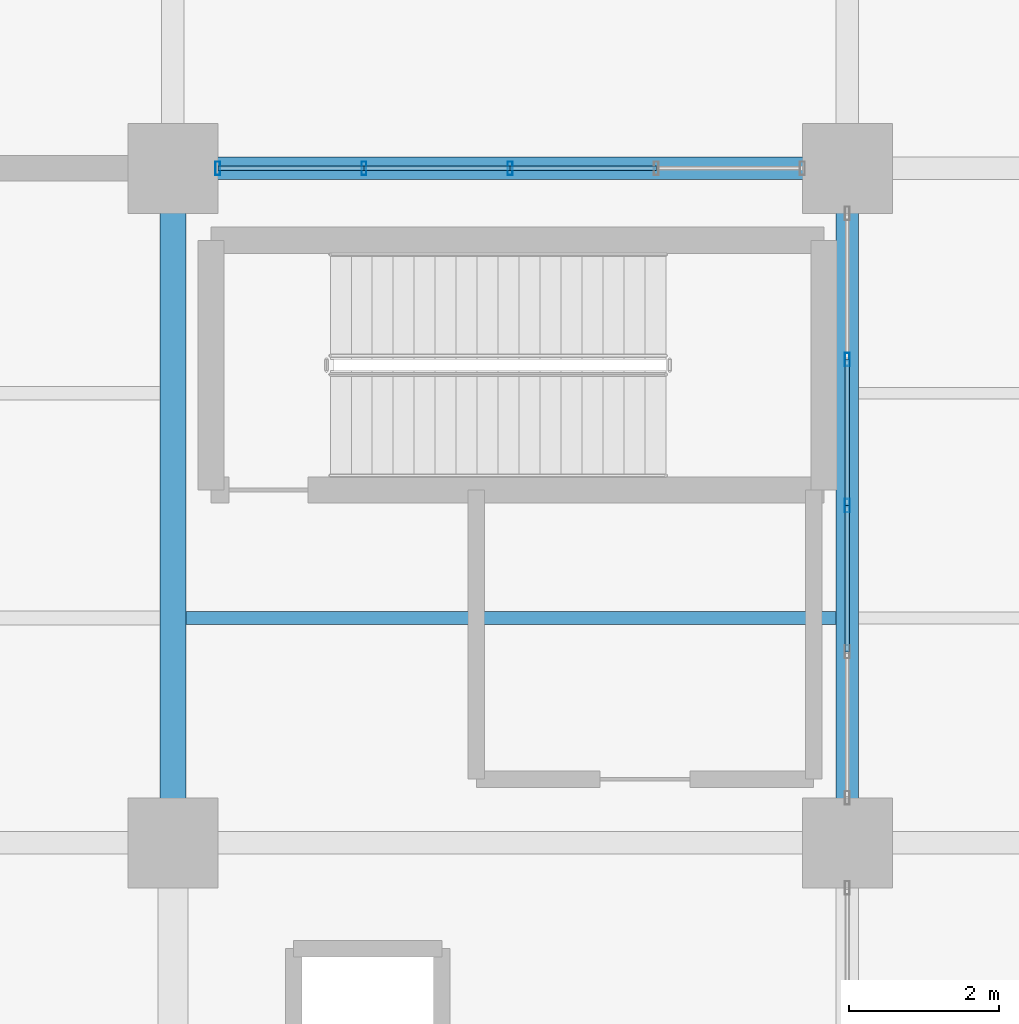
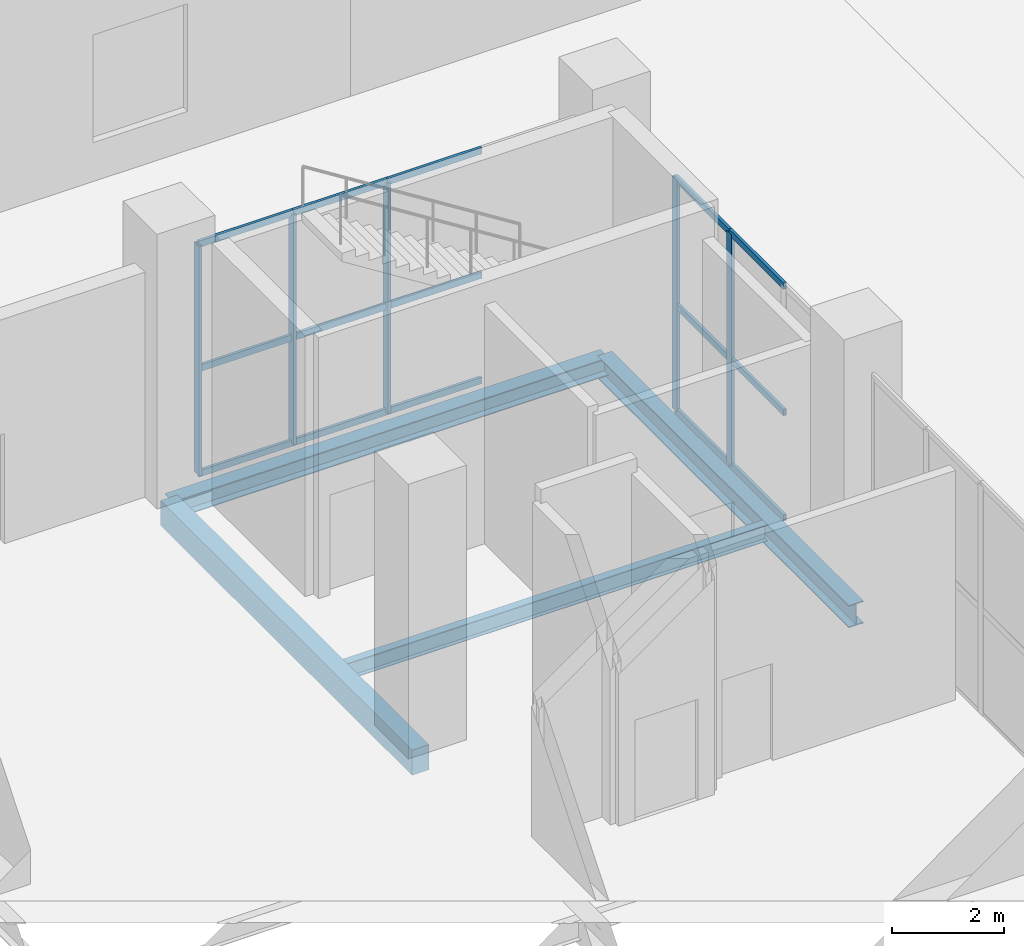
# One storey, part 63 of 144: 20 members, 4 beams, 2 elements without a shape of their own.
"""IFC4 building model written with IfcOpenShell, lengths in metres."""

from ifc_helpers import new_model, si_unit, direction, frame, origin, origin_2d, place, context, subcontext, project, spatial, rectangle, hollow_rectangle, i_section, extrude, material, layer, layer_set, material_profile, profile_set, type_object, element, aggregate, save


model = new_model("IFC4")

# Units and contexts
model_context = context("Model", 3, precision=1e-05, world=origin(), true_north=direction((0.0, 1.0)))
body_context = subcontext(model_context, "Body", "Model", "MODEL_VIEW")
ifc_project = project(units=[si_unit("LENGTHUNIT", "METRE"), si_unit("AREAUNIT", "SQUARE_METRE"), si_unit("VOLUMEUNIT", "CUBIC_METRE"), si_unit("PLANEANGLEUNIT", "RADIAN"), si_unit("MASSUNIT", "GRAM", prefix="KILO")], contexts=[model_context])

# Site, building, storey
site_placement = place(None, origin())
site = spatial("IfcSite", under=ifc_project, at=site_placement, CompositionType="ELEMENT")
building_placement = place(site_placement, origin())
building = spatial("IfcBuilding", under=site, at=building_placement, Name="Sundgate Opera House", CompositionType="ELEMENT")
storey_placement = place(building_placement, origin())
storey = spatial("IfcBuildingStorey", under=building, at=storey_placement, Name="L00", CompositionType="ELEMENT", Elevation=0.0)

# Beams
ifc_material_1 = material(Name="Steel S355J2", Category="steel")
ifc_material_profile_1 = material_profile(ifc_material_1, i_section(OverallWidth=0.300048828125, OverallDepth=0.389892578125, WebThickness=0.010986328125, FlangeThickness=0.01904296875, at=origin_2d()), Name="HEA 400")
ifc_profile_set_1 = profile_set([ifc_material_profile_1], Name="Steel S355J2")
beam_type_1 = type_object("IfcBeamType", Name="BM-GR-HEA400", PredefinedType="BEAM", material=ifc_profile_set_1)
beam_1_placement = place(storey_placement, frame((63.0, 78.0, -0.514892578125), z_axis=(1.0, 0.0, 0.0), x_axis=(0.0, 1.0, 0.0)))
element("IfcBeam", 1, at=beam_1_placement, inside=storey, type_object=beam_type_1, Name="L00 Primary E-W Girder B0487", PredefinedType="BEAM", context=body_context, shape_type="SweptSolid", body=[
    extrude(i_section(OverallWidth=0.300048828125, OverallDepth=0.389892578125, WebThickness=0.010986328125, FlangeThickness=0.01904296875, at=origin_2d()), origin(), (0.0, 0.0, 1.0), 9.0),
])
ifc_material_2 = material(Name="Steel S355J2", Category="steel")
ifc_material_profile_2 = material_profile(ifc_material_2, i_section(OverallWidth=0.300048828125, OverallDepth=0.489990234375, WebThickness=0.011962890625, FlangeThickness=0.02294921875, at=origin_2d()), Name="HEA 500")
ifc_profile_set_2 = profile_set([ifc_material_profile_2], Name="Steel S355J2")
beam_type_2 = type_object("IfcBeamType", Name="BM-GR-HEA500", PredefinedType="BEAM", material=ifc_profile_set_2)
beam_2_placement = place(storey_placement, frame((72.0, 69.0, -0.56494140625), z_axis=(0.0, 1.0, 0.0), x_axis=(-1.0, 0.0, 0.0)))
element("IfcBeam", 2, at=beam_2_placement, inside=storey, type_object=beam_type_2, Name="L00 Primary N-S Girder B0156", PredefinedType="BEAM", context=body_context, shape_type="SweptSolid", body=[
    extrude(i_section(OverallWidth=0.300048828125, OverallDepth=0.489990234375, WebThickness=0.011962890625, FlangeThickness=0.02294921875, at=origin_2d()), origin(), (0.0, 0.0, 1.0), 9.0),
])
ifc_material_3 = material(Name="Steel S355J2", Category="steel")
ifc_material_profile_3 = material_profile(ifc_material_3, i_section(OverallWidth=0.169921875, OverallDepth=0.360107421875, WebThickness=0.008056640625, FlangeThickness=0.0126953125, at=origin_2d()), Name="IPE 360")
ifc_profile_set_3 = profile_set([ifc_material_profile_3], Name="Steel S355J2")
beam_type_3 = type_object("IfcBeamType", Name="BM-JS-IPE360", PredefinedType="JOIST", material=ifc_profile_set_3)
beam_3_placement = place(storey_placement, frame((63.175048828125, 72.0, -0.5), z_axis=(1.0, 0.0, 0.0), x_axis=(0.0, 1.0, 0.0)))
element("IfcBeam", 3, at=beam_3_placement, inside=storey, type_object=beam_type_3, Name="L00 Secondary Floor Joist B0849", PredefinedType="JOIST", context=body_context, shape_type="SweptSolid", body=[
    extrude(i_section(OverallWidth=0.169921875, OverallDepth=0.360107421875, WebThickness=0.008056640625, FlangeThickness=0.0126953125, at=origin_2d()), origin(), (0.0, 0.0, 1.0), 8.675048828125),
])
ifc_material_4 = material(Name="Concrete C35/45", Category="concrete")
ifc_material_profile_4 = material_profile(ifc_material_4, rectangle(XDim=0.35009765625, YDim=0.550048828125, at=origin_2d()), Name="RC 350x550")
ifc_profile_set_4 = profile_set([ifc_material_profile_4], Name="Concrete C35/45")
beam_type_4 = type_object("IfcBeamType", Name="BM-RC-350x550", PredefinedType="BEAM", material=ifc_profile_set_4)
beam_4_placement = place(storey_placement, frame((63.0, 69.0, -0.594970703125), z_axis=(0.0, 1.0, 0.0), x_axis=(-1.0, 0.0, 0.0)))
element("IfcBeam", 4, at=beam_4_placement, inside=storey, type_object=beam_type_4, Name="L00 Primary N-S Girder B0146", PredefinedType="BEAM", context=body_context, shape_type="SweptSolid", body=[
    extrude(rectangle(XDim=0.35009765625, YDim=0.550048828125, at=origin_2d()), origin(), (0.0, 0.0, 1.0), 9.0),
])

# Curtain wall, members
ifc_material_5 = material(Name="Anodized aluminium and low-iron glass", Category="aluminium")
ifc_layer = layer(ifc_material_5, 0.179931640625)
ifc_layer_set = layer_set([ifc_layer], Name="Anodized aluminium and low-iron glass")
curtain_wall_type = type_object("IfcCurtainWallType", Name="CW-FOYER-GLASS", PredefinedType="NOTDEFINED", material=ifc_layer_set)
curtain_wall_1_placement = place(storey_placement, origin())
curtain_wall_1 = element("IfcCurtainWall", 5, at=curtain_wall_1_placement, inside=storey, type_object=curtain_wall_type, Name="L00 Curtain Wall CW004", PredefinedType="NOTDEFINED")
ifc_material_6 = material(Name="Anodized aluminium EN AW-6063", Category="aluminium")
ifc_material_profile_5 = material_profile(ifc_material_6, hollow_rectangle(XDim=0.06494140625, YDim=0.179931640625, WallThickness=0.00390625, at=origin_2d()), Name="CWM 180x65x4")
ifc_profile_set_5 = profile_set([ifc_material_profile_5], Name="Anodized aluminium EN AW-6063")
member_type_1 = type_object("IfcMemberType", Name="CWM-ALU-180x65", PredefinedType="MULLION", material=ifc_profile_set_5)
member_1_placement = place(storey_placement, frame((63.60009765625, 78.0, 0.0), z_axis=(0.0, 0.0, 1.0), x_axis=(1.0, 0.0, 0.0)))
member_1 = element("IfcMember", 6, at=member_1_placement, type_object=member_type_1, Name="CW004 Mullion 1", PredefinedType="MULLION", context=body_context, shape_type="SweptSolid", body=[
    extrude(hollow_rectangle(XDim=0.06494140625, YDim=0.179931640625, WallThickness=0.00390625, at=origin_2d()), origin(), (0.0, 0.0, 1.0), 5.014892578125),
])
member_2_placement = place(storey_placement, frame((65.550048828125, 78.0, 0.0), z_axis=(0.0, 0.0, 1.0), x_axis=(1.0, 0.0, 0.0)))
member_2 = element("IfcMember", 7, at=member_2_placement, type_object=member_type_1, Name="CW004 Mullion 2", PredefinedType="MULLION", context=body_context, shape_type="SweptSolid", body=[
    extrude(hollow_rectangle(XDim=0.06494140625, YDim=0.179931640625, WallThickness=0.00390625, at=origin_2d()), origin(), (0.0, 0.0, 1.0), 5.014892578125),
])
member_3_placement = place(storey_placement, frame((67.5, 78.0, 0.0), z_axis=(0.0, 0.0, 1.0), x_axis=(1.0, 0.0, 0.0)))
member_3 = element("IfcMember", 8, at=member_3_placement, type_object=member_type_1, Name="CW004 Mullion 3", PredefinedType="MULLION", context=body_context, shape_type="SweptSolid", body=[
    extrude(hollow_rectangle(XDim=0.06494140625, YDim=0.179931640625, WallThickness=0.00390625, at=origin_2d()), origin(), (0.0, 0.0, 1.0), 5.014892578125),
])

curtain_wall_2_placement = place(storey_placement, origin())
curtain_wall_2 = element("IfcCurtainWall", 9, at=curtain_wall_2_placement, inside=storey, type_object=curtain_wall_type, Name="L00 Curtain Wall CW010", PredefinedType="NOTDEFINED")
member_4_placement = place(storey_placement, frame((72.0, 73.5, 0.0), z_axis=(0.0, 0.0, 1.0), x_axis=(1.0, 0.0, 0.0)))
member_4 = element("IfcMember", 10, at=member_4_placement, type_object=member_type_1, Name="CW010 Mullion 3", PredefinedType="MULLION", context=body_context, shape_type="SweptSolid", body=[
    extrude(hollow_rectangle(XDim=0.06494140625, YDim=0.179931640625, WallThickness=0.00390625, at=origin_2d()), origin(), (0.0, 0.0, 1.0), 5.06494140625),
])
member_5_placement = place(storey_placement, frame((72.0, 75.449951171875, 0.0), z_axis=(0.0, 0.0, 1.0), x_axis=(1.0, 0.0, 0.0)))
member_5 = element("IfcMember", 11, at=member_5_placement, type_object=member_type_1, Name="CW010 Mullion 4", PredefinedType="MULLION", context=body_context, shape_type="SweptSolid", body=[
    extrude(hollow_rectangle(XDim=0.06494140625, YDim=0.179931640625, WallThickness=0.00390625, at=origin_2d()), origin(), (0.0, 0.0, 1.0), 5.06494140625),
])

# Member
ifc_material_7 = material(Name="Anodized aluminium EN AW-6063", Category="aluminium")
ifc_material_profile_6 = material_profile(ifc_material_7, hollow_rectangle(XDim=0.06005859375, YDim=0.139892578125, WallThickness=0.00390625, at=origin_2d()), Name="CWT 140x60x4")
ifc_profile_set_6 = profile_set([ifc_material_profile_6], Name="Anodized aluminium EN AW-6063")
member_type_2 = type_object("IfcMemberType", Name="CWT-ALU-140x60", PredefinedType="USERDEFINED", material=ifc_profile_set_6)
member_6_placement = place(storey_placement, frame((63.60009765625, 78.0, 0.0), z_axis=(1.0, 0.0, 0.0), x_axis=(0.0, 1.0, 0.0)))
member_6 = element("IfcMember", 12, at=member_6_placement, type_object=member_type_2, Name="CW004 Transom 1", ObjectType="TRANSOM", PredefinedType="USERDEFINED", context=body_context, shape_type="SweptSolid", body=[
    extrude(hollow_rectangle(XDim=0.06005859375, YDim=0.139892578125, WallThickness=0.00390625, at=origin_2d()), origin(), (0.0, 0.0, 1.0), 1.949951171875),
])

member_7_placement = place(storey_placement, frame((63.60009765625, 78.0, 2.300048828125), z_axis=(1.0, 0.0, 0.0), x_axis=(0.0, 1.0, 0.0)))
member_7 = element("IfcMember", 13, at=member_7_placement, type_object=member_type_2, Name="CW004 Transom 2", ObjectType="TRANSOM", PredefinedType="USERDEFINED", context=body_context, shape_type="SweptSolid", body=[
    extrude(hollow_rectangle(XDim=0.06005859375, YDim=0.139892578125, WallThickness=0.00390625, at=origin_2d()), origin(), (0.0, 0.0, 1.0), 1.949951171875),
])

member_8_placement = place(storey_placement, frame((63.60009765625, 78.0, 5.014892578125), z_axis=(1.0, 0.0, 0.0), x_axis=(0.0, 1.0, 0.0)))
member_8 = element("IfcMember", 14, at=member_8_placement, type_object=member_type_2, Name="CW004 Transom 3", ObjectType="TRANSOM", PredefinedType="USERDEFINED", context=body_context, shape_type="SweptSolid", body=[
    extrude(hollow_rectangle(XDim=0.06005859375, YDim=0.139892578125, WallThickness=0.00390625, at=origin_2d()), origin(), (0.0, 0.0, 1.0), 1.949951171875),
])

member_9_placement = place(storey_placement, frame((65.550048828125, 78.0, 0.0), z_axis=(1.0, 0.0, 0.0), x_axis=(0.0, 1.0, 0.0)))
member_9 = element("IfcMember", 15, at=member_9_placement, type_object=member_type_2, Name="CW004 Transom 4", ObjectType="TRANSOM", PredefinedType="USERDEFINED", context=body_context, shape_type="SweptSolid", body=[
    extrude(hollow_rectangle(XDim=0.06005859375, YDim=0.139892578125, WallThickness=0.00390625, at=origin_2d()), origin(), (0.0, 0.0, 1.0), 1.949951171875),
])

member_10_placement = place(storey_placement, frame((65.550048828125, 78.0, 2.300048828125), z_axis=(1.0, 0.0, 0.0), x_axis=(0.0, 1.0, 0.0)))
member_10 = element("IfcMember", 16, at=member_10_placement, type_object=member_type_2, Name="CW004 Transom 5", ObjectType="TRANSOM", PredefinedType="USERDEFINED", context=body_context, shape_type="SweptSolid", body=[
    extrude(hollow_rectangle(XDim=0.06005859375, YDim=0.139892578125, WallThickness=0.00390625, at=origin_2d()), origin(), (0.0, 0.0, 1.0), 1.949951171875),
])

member_11_placement = place(storey_placement, frame((65.550048828125, 78.0, 5.014892578125), z_axis=(1.0, 0.0, 0.0), x_axis=(0.0, 1.0, 0.0)))
member_11 = element("IfcMember", 17, at=member_11_placement, type_object=member_type_2, Name="CW004 Transom 6", ObjectType="TRANSOM", PredefinedType="USERDEFINED", context=body_context, shape_type="SweptSolid", body=[
    extrude(hollow_rectangle(XDim=0.06005859375, YDim=0.139892578125, WallThickness=0.00390625, at=origin_2d()), origin(), (0.0, 0.0, 1.0), 1.949951171875),
])

member_12_placement = place(storey_placement, frame((67.5, 78.0, 0.0), z_axis=(1.0, 0.0, 0.0), x_axis=(0.0, 1.0, 0.0)))
member_12 = element("IfcMember", 18, at=member_12_placement, type_object=member_type_2, Name="CW004 Transom 7", ObjectType="TRANSOM", PredefinedType="USERDEFINED", context=body_context, shape_type="SweptSolid", body=[
    extrude(hollow_rectangle(XDim=0.06005859375, YDim=0.139892578125, WallThickness=0.00390625, at=origin_2d()), origin(), (0.0, 0.0, 1.0), 1.949951171875),
])

member_13_placement = place(storey_placement, frame((67.5, 78.0, 2.300048828125), z_axis=(1.0, 0.0, 0.0), x_axis=(0.0, 1.0, 0.0)))
member_13 = element("IfcMember", 19, at=member_13_placement, type_object=member_type_2, Name="CW004 Transom 8", ObjectType="TRANSOM", PredefinedType="USERDEFINED", context=body_context, shape_type="SweptSolid", body=[
    extrude(hollow_rectangle(XDim=0.06005859375, YDim=0.139892578125, WallThickness=0.00390625, at=origin_2d()), origin(), (0.0, 0.0, 1.0), 1.949951171875),
])

member_14_placement = place(storey_placement, frame((67.5, 78.0, 5.014892578125), z_axis=(1.0, 0.0, 0.0), x_axis=(0.0, 1.0, 0.0)))
member_14 = element("IfcMember", 20, at=member_14_placement, type_object=member_type_2, Name="CW004 Transom 9", ObjectType="TRANSOM", PredefinedType="USERDEFINED", context=body_context, shape_type="SweptSolid", body=[
    extrude(hollow_rectangle(XDim=0.06005859375, YDim=0.139892578125, WallThickness=0.00390625, at=origin_2d()), origin(), (0.0, 0.0, 1.0), 1.949951171875),
])

aggregate(curtain_wall_1, [member_1, member_2, member_3, member_6, member_7, member_8, member_9, member_10, member_11, member_12, member_13, member_14])

member_15_placement = place(storey_placement, frame((72.0, 71.550048828125, 0.0), z_axis=(0.0, 1.0, 0.0), x_axis=(-1.0, 0.0, 0.0)))
member_15 = element("IfcMember", 21, at=member_15_placement, type_object=member_type_2, Name="CW010 Transom 4", ObjectType="TRANSOM", PredefinedType="USERDEFINED", context=body_context, shape_type="SweptSolid", body=[
    extrude(hollow_rectangle(XDim=0.06005859375, YDim=0.139892578125, WallThickness=0.00390625, at=origin_2d()), origin(), (0.0, 0.0, 1.0), 1.949951171875),
])

member_16_placement = place(storey_placement, frame((72.0, 71.550048828125, 2.300048828125), z_axis=(0.0, 1.0, 0.0), x_axis=(-1.0, 0.0, 0.0)))
member_16 = element("IfcMember", 22, at=member_16_placement, type_object=member_type_2, Name="CW010 Transom 5", ObjectType="TRANSOM", PredefinedType="USERDEFINED", context=body_context, shape_type="SweptSolid", body=[
    extrude(hollow_rectangle(XDim=0.06005859375, YDim=0.139892578125, WallThickness=0.00390625, at=origin_2d()), origin(), (0.0, 0.0, 1.0), 1.949951171875),
])

member_17_placement = place(storey_placement, frame((72.0, 71.550048828125, 5.06494140625), z_axis=(0.0, 1.0, 0.0), x_axis=(-1.0, 0.0, 0.0)))
member_17 = element("IfcMember", 23, at=member_17_placement, type_object=member_type_2, Name="CW010 Transom 6", ObjectType="TRANSOM", PredefinedType="USERDEFINED", context=body_context, shape_type="SweptSolid", body=[
    extrude(hollow_rectangle(XDim=0.06005859375, YDim=0.139892578125, WallThickness=0.00390625, at=origin_2d()), origin(), (0.0, 0.0, 1.0), 1.949951171875),
])

member_18_placement = place(storey_placement, frame((72.0, 73.5, 0.0), z_axis=(0.0, 1.0, 0.0), x_axis=(-1.0, 0.0, 0.0)))
member_18 = element("IfcMember", 24, at=member_18_placement, type_object=member_type_2, Name="CW010 Transom 7", ObjectType="TRANSOM", PredefinedType="USERDEFINED", context=body_context, shape_type="SweptSolid", body=[
    extrude(hollow_rectangle(XDim=0.06005859375, YDim=0.139892578125, WallThickness=0.00390625, at=origin_2d()), origin(), (0.0, 0.0, 1.0), 1.949951171875),
])

member_19_placement = place(storey_placement, frame((72.0, 73.5, 2.300048828125), z_axis=(0.0, 1.0, 0.0), x_axis=(-1.0, 0.0, 0.0)))
member_19 = element("IfcMember", 25, at=member_19_placement, type_object=member_type_2, Name="CW010 Transom 8", ObjectType="TRANSOM", PredefinedType="USERDEFINED", context=body_context, shape_type="SweptSolid", body=[
    extrude(hollow_rectangle(XDim=0.06005859375, YDim=0.139892578125, WallThickness=0.00390625, at=origin_2d()), origin(), (0.0, 0.0, 1.0), 1.949951171875),
])

member_20_placement = place(storey_placement, frame((72.0, 73.5, 5.06494140625), z_axis=(0.0, 1.0, 0.0), x_axis=(-1.0, 0.0, 0.0)))
member_20 = element("IfcMember", 26, at=member_20_placement, type_object=member_type_2, Name="CW010 Transom 9", ObjectType="TRANSOM", PredefinedType="USERDEFINED", context=body_context, shape_type="SweptSolid", body=[
    extrude(hollow_rectangle(XDim=0.06005859375, YDim=0.139892578125, WallThickness=0.00390625, at=origin_2d()), origin(), (0.0, 0.0, 1.0), 1.949951171875),
])

aggregate(curtain_wall_2, [member_4, member_5, member_15, member_16, member_17, member_18, member_19, member_20])

save(model, "model.ifc")
